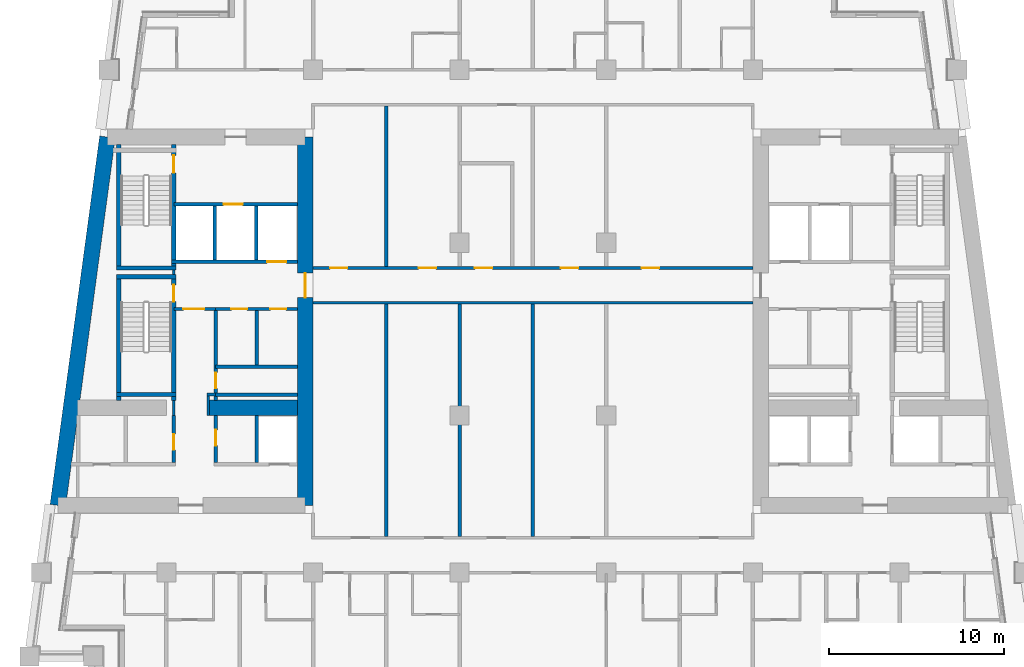
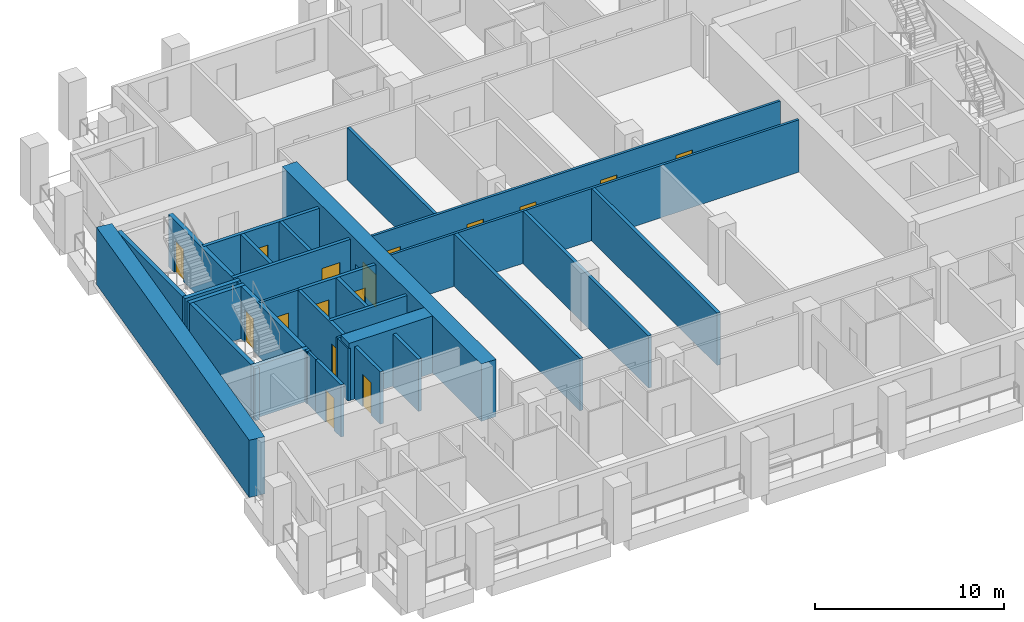
# One storey, part 4 of 13: 33 walls, 16 doors, 16 openings.
"""IFC4 building model written with IfcOpenShell, lengths in metres."""

from ifc_helpers import new_model, si_unit, direction, frame, frame_2d, origin, place, context, subcontext, project, spatial, rectangle, extrude, material, layer, layer_set, type_object, element, fill, save


model = new_model("IFC4")

# Units and contexts
model_context = context("Model", 3, precision=1e-05, world=origin(), true_north=direction((0.0, 1.0)))
body_context = subcontext(model_context, "Body", "Model", "MODEL_VIEW")
ifc_project = project(units=[si_unit("LENGTHUNIT", "METRE"), si_unit("AREAUNIT", "SQUARE_METRE"), si_unit("VOLUMEUNIT", "CUBIC_METRE"), si_unit("PLANEANGLEUNIT", "RADIAN"), si_unit("MASSUNIT", "GRAM", prefix="KILO")], contexts=[model_context])

# Site, building, storey
site_placement = place(None, origin())
site = spatial("IfcSite", under=ifc_project, at=site_placement, CompositionType="ELEMENT")
building_placement = place(site_placement, origin())
building = spatial("IfcBuilding", under=site, at=building_placement, Name="Candeia Pilgrim Tower and Theatre", CompositionType="ELEMENT")
storey_placement = place(building_placement, frame((0.0, 0.0, 177.39990234375)))
storey = spatial("IfcBuildingStorey", under=building, at=storey_placement, Name="L42", CompositionType="ELEMENT", Elevation=177.39990234375)

# Wall, opening, door
ifc_material_1 = material(Name="Concrete C60/75", Category="concrete")
ifc_layer_1 = layer(ifc_material_1, 0.89990234375)
ifc_layer_set_1 = layer_set([ifc_layer_1], Name="Core wall 900 C60/75")
wall_type_1 = type_object("IfcWallType", Name="Core wall 900 C60/75", PredefinedType="SHEAR", material=ifc_layer_set_1)
wall_1_placement = place(storey_placement, frame((100.35009765625, 131.949951171875, 0.0), z_axis=(0.0, 0.0, 1.0), x_axis=(0.0, -1.0, 0.0)))
wall_1 = element("IfcWall", 1, at=wall_1_placement, inside=storey, type_object=wall_type_1, Name="Core wall W2", PredefinedType="SHEAR", context=body_context, shape_type="SweptSolid", body=[
    extrude(rectangle(XDim=21.099853515625, YDim=0.89990234375, at=frame_2d((10.5498046875, 0.0))), origin(), (0.0, 0.0, 1.0), 3.7001953125),
])
opening_1_placement = place(wall_1_placement, frame((7.800048828125, 0.0, 0.0)))
opening_1 = element("IfcOpeningElement", 2, at=opening_1_placement, cuts=wall_1, Name="Opening L42-D064", PredefinedType="OPENING", context=body_context, shape_type="SweptSolid", body=[
    extrude(rectangle(XDim=1.39990234375, YDim=2.10009765625, at=frame_2d((0.699951171875, 1.050048828125))), frame((0.0, 0.4599609375, 0.0), z_axis=(0.0, -1.0, 0.0), x_axis=(1.0, 0.0, 0.0)), (0.0, 0.0, 1.0), 0.919921875),
])
ifc_material_2 = material(Name="Steel fire door set", Category="steel")
door_type_1 = type_object("IfcDoorType", Name="D-1400-FD60", OperationType="NOTDEFINED", PredefinedType="DOOR", material=ifc_material_2)
door_1_placement = place(opening_1_placement, origin())
door_1 = element("IfcDoor", 3, at=door_1_placement, inside=storey, type_object=door_type_1, Name="Door L42-D064", OperationType="SINGLE_SWING_RIGHT", OverallHeight=2.10009765625, OverallWidth=1.39990234375, PredefinedType="DOOR", context=body_context, shape_type="SweptSolid", body=[
    extrude(rectangle(XDim=1.39990234375, YDim=2.10009765625, at=frame_2d((0.699951171875, 1.050048828125))), frame((0.0, 0.02490234375, 0.0), z_axis=(0.0, -1.0, 0.0), x_axis=(1.0, 0.0, 0.0)), (0.0, 0.0, 1.0), 0.050048828125),
])
fill(opening_1, door_1)

# Walls
wall_2_placement = place(storey_placement, frame((86.183837890625, 110.85009765625, 0.0), z_axis=(0.0, 0.0, 1.0), x_axis=(0.133410495943, 0.991060865725, 0.0)))
element("IfcWall", 4, at=wall_2_placement, inside=storey, type_object=wall_type_1, Name="Core wall W4", PredefinedType="SHEAR", context=body_context, shape_type="SweptSolid", body=[
    extrude(rectangle(XDim=21.290283203125, YDim=0.89990234375, at=frame_2d((10.64501953125, 0.0))), origin(), (0.0, 0.0, 1.0), 3.7001953125),
])
wall_3_placement = place(storey_placement, frame((94.800048828125, 116.449951171875, 0.0), z_axis=(0.0, 0.0, 1.0), x_axis=(1.0, 0.0, 0.0)))
element("IfcWall", 5, at=wall_3_placement, inside=storey, type_object=wall_type_1, Name="Core wall W6", PredefinedType="SHEAR", context=body_context, shape_type="SweptSolid", body=[
    extrude(rectangle(XDim=5.099853515625, YDim=0.89990234375, at=frame_2d((2.5498046875, 0.0))), origin(), (0.0, 0.0, 1.0), 3.7001953125),
])
ifc_material_3 = material(Name="Gypsum board partition on steel studs", Category="steel")
ifc_layer_2 = layer(ifc_material_3, 0.14990234375)
ifc_layer_set_2 = layer_set([ifc_layer_2], Name="PW-150 lobby wall")
wall_type_2 = type_object("IfcWallType", Name="PW-150 lobby wall", PredefinedType="PARTITIONING", material=ifc_layer_set_2)
wall_4_placement = place(storey_placement, frame((94.72509765625, 117.199951171875, 0.0), z_axis=(0.0, 0.0, 1.0), x_axis=(1.0, 0.0, 0.0)))
element("IfcWall", 6, at=wall_4_placement, inside=storey, type_object=wall_type_2, Name="Lobby wall L42-019", PredefinedType="PARTITIONING", context=body_context, shape_type="SweptSolid", body=[
    extrude(rectangle(XDim=0.501953125, YDim=0.14990234375, at=frame_2d((0.2509765625, 0.0))), origin(), (0.0, 0.0, 1.0), 3.380126953125),
])

# Wall, opening, door
wall_5_placement = place(storey_placement, frame((92.826904296875, 122.10009765625, 0.0), z_axis=(0.0, 0.0, 1.0), x_axis=(1.0, 0.0, 0.0)))
wall_5 = element("IfcWall", 7, at=wall_5_placement, inside=storey, type_object=wall_type_2, Name="Lobby wall L42-027", PredefinedType="PARTITIONING", context=body_context, shape_type="SweptSolid", body=[
    extrude(rectangle(XDim=2.400146484375, YDim=0.14990234375, at=frame_2d((1.2001953125, 0.0))), origin(), (0.0, 0.0, 1.0), 3.380126953125),
])
opening_2_placement = place(wall_5_placement, frame((0.550048828125, 0.0, 0.0)))
opening_2 = element("IfcOpeningElement", 8, at=opening_2_placement, cuts=wall_5, Name="Opening L42-D001", PredefinedType="OPENING", context=body_context, shape_type="SweptSolid", body=[
    extrude(rectangle(XDim=1.199951171875, YDim=2.10009765625, at=frame_2d((0.60009765625, 1.050048828125))), frame((0.0, 0.0849609375, 0.0), z_axis=(0.0, -1.0, 0.0), x_axis=(1.0, 0.0, 0.0)), (0.0, 0.0, 1.0), 0.169921875),
])
door_type_2 = type_object("IfcDoorType", Name="D-1200-FD60", OperationType="NOTDEFINED", PredefinedType="DOOR", material=ifc_material_2)
door_2_placement = place(opening_2_placement, origin())
door_2 = element("IfcDoor", 9, at=door_2_placement, inside=storey, type_object=door_type_2, Name="Door L42-D001", OperationType="SINGLE_SWING_LEFT", OverallHeight=2.10009765625, OverallWidth=1.199951171875, PredefinedType="DOOR", context=body_context, shape_type="SweptSolid", body=[
    extrude(rectangle(XDim=1.199951171875, YDim=2.10009765625, at=frame_2d((0.60009765625, 1.050048828125))), frame((0.0, 0.02490234375, 0.0), z_axis=(0.0, -1.0, 0.0), x_axis=(1.0, 0.0, 0.0)), (0.0, 0.0, 1.0), 0.050048828125),
])
fill(opening_2, door_2)

# Walls
wall_6_placement = place(storey_placement, frame((92.826904296875, 116.0, 0.0), z_axis=(0.0, 0.0, 1.0), x_axis=(0.0, 1.0, 0.0)))
element("IfcWall", 10, at=wall_6_placement, inside=storey, type_object=wall_type_2, Name="Lobby wall L42-059", PredefinedType="PARTITIONING", context=body_context, shape_type="SweptSolid", body=[
    extrude(rectangle(XDim=0.8701171875, YDim=0.14990234375, at=frame_2d((0.43505859375, 0.0))), origin(), (0.0, 0.0, 1.0), 3.380126953125),
])
wall_7_placement = place(storey_placement, frame((92.826904296875, 124.074951171875, 0.0), z_axis=(0.0, 0.0, 1.0), x_axis=(0.0, 1.0, 0.0)))
element("IfcWall", 11, at=wall_7_placement, inside=storey, type_object=wall_type_2, Name="Lobby wall L42-060", PredefinedType="PARTITIONING", context=body_context, shape_type="SweptSolid", body=[
    extrude(rectangle(XDim=0.25, YDim=0.14990234375, at=frame_2d((0.125, 0.0))), origin(), (0.0, 0.0, 1.0), 3.380126953125),
])
wall_8_placement = place(storey_placement, frame((94.800048828125, 116.0, 0.0), z_axis=(0.0, 0.0, 1.0), x_axis=(0.0, 1.0, 0.0)))
element("IfcWall", 12, at=wall_8_placement, inside=storey, type_object=wall_type_2, Name="Lobby wall L42-064", PredefinedType="PARTITIONING", context=body_context, shape_type="SweptSolid", body=[
    extrude(rectangle(XDim=1.125, YDim=0.14990234375, at=frame_2d((0.5625, 0.0))), origin(), (0.0, 0.0, 1.0), 3.380126953125),
])
ifc_layer_3 = layer(ifc_material_3, 0.14990234375)
ifc_layer_set_3 = layer_set([ifc_layer_3], Name="PW-150 unit wall")
wall_type_3 = type_object("IfcWallType", Name="PW-150 unit wall", PredefinedType="PARTITIONING", material=ifc_layer_set_3)
wall_9_placement = place(storey_placement, frame((100.800048828125, 122.449951171875, 0.0), z_axis=(0.0, 0.0, 1.0), x_axis=(1.0, 0.0, 0.0)))
element("IfcWall", 13, at=wall_9_placement, inside=storey, type_object=wall_type_3, Name="Unit wall L42-029", PredefinedType="PARTITIONING", context=body_context, shape_type="SweptSolid", body=[
    extrude(rectangle(XDim=25.199951171875, YDim=0.14990234375, at=frame_2d((12.60009765625, 0.0))), origin(), (0.0, 0.0, 1.0), 3.380126953125),
])

# Wall, openings, doors
wall_10_placement = place(storey_placement, frame((100.800048828125, 124.449951171875, 0.0), z_axis=(0.0, 0.0, 1.0), x_axis=(1.0, 0.0, 0.0)))
wall_10 = element("IfcWall", 14, at=wall_10_placement, inside=storey, type_object=wall_type_3, Name="Unit wall L42-034", PredefinedType="PARTITIONING", context=body_context, shape_type="SweptSolid", body=[
    extrude(rectangle(XDim=25.199951171875, YDim=0.14990234375, at=frame_2d((12.60009765625, 0.0))), origin(), (0.0, 0.0, 1.0), 3.380126953125),
])
opening_3_placement = place(wall_10_placement, frame((0.97509765625, 0.0, 0.0)))
opening_3 = element("IfcOpeningElement", 15, at=opening_3_placement, cuts=wall_10, Name="Opening L42-D057", PredefinedType="OPENING", context=body_context, shape_type="SweptSolid", body=[
    extrude(rectangle(XDim=1.0, YDim=2.10009765625, at=frame_2d((0.5, 1.050048828125))), frame((0.0, 0.0849609375, 0.0), z_axis=(0.0, -1.0, 0.0), x_axis=(1.0, 0.0, 0.0)), (0.0, 0.0, 1.0), 0.169921875),
])
opening_4_placement = place(wall_10_placement, frame((6.050048828125, 0.0, 0.0)))
opening_4 = element("IfcOpeningElement", 16, at=opening_4_placement, cuts=wall_10, Name="Opening L42-D058", PredefinedType="OPENING", context=body_context, shape_type="SweptSolid", body=[
    extrude(rectangle(XDim=1.0, YDim=2.10009765625, at=frame_2d((0.5, 1.050048828125))), frame((0.0, 0.0849609375, 0.0), z_axis=(0.0, -1.0, 0.0), x_axis=(1.0, 0.0, 0.0)), (0.0, 0.0, 1.0), 0.169921875),
])
opening_5_placement = place(wall_10_placement, frame((9.27001953125, 0.0, 0.0)))
opening_5 = element("IfcOpeningElement", 17, at=opening_5_placement, cuts=wall_10, Name="Opening L42-D059", PredefinedType="OPENING", context=body_context, shape_type="SweptSolid", body=[
    extrude(rectangle(XDim=1.0, YDim=2.10009765625, at=frame_2d((0.5, 1.050048828125))), frame((0.0, 0.0849609375, 0.0), z_axis=(0.0, -1.0, 0.0), x_axis=(1.0, 0.0, 0.0)), (0.0, 0.0, 1.0), 0.169921875),
])
opening_6_placement = place(wall_10_placement, frame((14.199951171875, 0.0, 0.0)))
opening_6 = element("IfcOpeningElement", 18, at=opening_6_placement, cuts=wall_10, Name="Opening L42-D060", PredefinedType="OPENING", context=body_context, shape_type="SweptSolid", body=[
    extrude(rectangle(XDim=1.0, YDim=2.10009765625, at=frame_2d((0.5, 1.050048828125))), frame((0.0, 0.0849609375, 0.0), z_axis=(0.0, -1.0, 0.0), x_axis=(1.0, 0.0, 0.0)), (0.0, 0.0, 1.0), 0.169921875),
])
opening_7_placement = place(wall_10_placement, frame((18.824951171875, 0.0, 0.0)))
opening_7 = element("IfcOpeningElement", 19, at=opening_7_placement, cuts=wall_10, Name="Opening L42-D061", PredefinedType="OPENING", context=body_context, shape_type="SweptSolid", body=[
    extrude(rectangle(XDim=1.0, YDim=2.10009765625, at=frame_2d((0.5, 1.050048828125))), frame((0.0, 0.0849609375, 0.0), z_axis=(0.0, -1.0, 0.0), x_axis=(1.0, 0.0, 0.0)), (0.0, 0.0, 1.0), 0.169921875),
])
door_type_3 = type_object("IfcDoorType", Name="D-1000-FD30S", OperationType="NOTDEFINED", PredefinedType="DOOR", material=ifc_material_2)
door_3_placement = place(opening_3_placement, origin())
door_3 = element("IfcDoor", 20, at=door_3_placement, inside=storey, type_object=door_type_3, Name="Door L42-D057", OperationType="SINGLE_SWING_LEFT", OverallHeight=2.10009765625, OverallWidth=1.0, PredefinedType="DOOR", context=body_context, shape_type="SweptSolid", body=[
    extrude(rectangle(XDim=1.0, YDim=2.10009765625, at=frame_2d((0.5, 1.050048828125))), frame((0.0, 0.02490234375, 0.0), z_axis=(0.0, -1.0, 0.0), x_axis=(1.0, 0.0, 0.0)), (0.0, 0.0, 1.0), 0.050048828125),
])
fill(opening_3, door_3)
door_4_placement = place(opening_4_placement, origin())
door_4 = element("IfcDoor", 21, at=door_4_placement, inside=storey, type_object=door_type_3, Name="Door L42-D058", OperationType="SINGLE_SWING_RIGHT", OverallHeight=2.10009765625, OverallWidth=1.0, PredefinedType="DOOR", context=body_context, shape_type="SweptSolid", body=[
    extrude(rectangle(XDim=1.0, YDim=2.10009765625, at=frame_2d((0.5, 1.050048828125))), frame((0.0, 0.02490234375, 0.0), z_axis=(0.0, -1.0, 0.0), x_axis=(1.0, 0.0, 0.0)), (0.0, 0.0, 1.0), 0.050048828125),
])
fill(opening_4, door_4)
door_5_placement = place(opening_5_placement, origin())
door_5 = element("IfcDoor", 22, at=door_5_placement, inside=storey, type_object=door_type_3, Name="Door L42-D059", OperationType="SINGLE_SWING_LEFT", OverallHeight=2.10009765625, OverallWidth=1.0, PredefinedType="DOOR", context=body_context, shape_type="SweptSolid", body=[
    extrude(rectangle(XDim=1.0, YDim=2.10009765625, at=frame_2d((0.5, 1.050048828125))), frame((0.0, 0.02490234375, 0.0), z_axis=(0.0, -1.0, 0.0), x_axis=(1.0, 0.0, 0.0)), (0.0, 0.0, 1.0), 0.050048828125),
])
fill(opening_5, door_5)
door_6_placement = place(opening_6_placement, origin())
door_6 = element("IfcDoor", 23, at=door_6_placement, inside=storey, type_object=door_type_3, Name="Door L42-D060", OperationType="SINGLE_SWING_RIGHT", OverallHeight=2.10009765625, OverallWidth=1.0, PredefinedType="DOOR", context=body_context, shape_type="SweptSolid", body=[
    extrude(rectangle(XDim=1.0, YDim=2.10009765625, at=frame_2d((0.5, 1.050048828125))), frame((0.0, 0.02490234375, 0.0), z_axis=(0.0, -1.0, 0.0), x_axis=(1.0, 0.0, 0.0)), (0.0, 0.0, 1.0), 0.050048828125),
])
fill(opening_6, door_6)
door_7_placement = place(opening_7_placement, origin())
door_7 = element("IfcDoor", 24, at=door_7_placement, inside=storey, type_object=door_type_3, Name="Door L42-D061", OperationType="SINGLE_SWING_LEFT", OverallHeight=2.10009765625, OverallWidth=1.0, PredefinedType="DOOR", context=body_context, shape_type="SweptSolid", body=[
    extrude(rectangle(XDim=1.0, YDim=2.10009765625, at=frame_2d((0.5, 1.050048828125))), frame((0.0, 0.02490234375, 0.0), z_axis=(0.0, -1.0, 0.0), x_axis=(1.0, 0.0, 0.0)), (0.0, 0.0, 1.0), 0.050048828125),
])
fill(opening_7, door_7)

# Walls
ifc_layer_4 = layer(ifc_material_3, 0.199951171875)
ifc_layer_set_4 = layer_set([ifc_layer_4], Name="PW-200 party wall")
wall_type_4 = type_object("IfcWallType", Name="PW-200 party wall", PredefinedType="PARTITIONING", material=ifc_layer_set_4)
wall_11_placement = place(storey_placement, frame((105.0, 109.074951171875, 0.0), z_axis=(0.0, 0.0, 1.0), x_axis=(0.0, 1.0, 0.0)))
element("IfcWall", 25, at=wall_11_placement, inside=storey, type_object=wall_type_4, Name="Party wall L42-081", PredefinedType="PARTITIONING", context=body_context, shape_type="SweptSolid", body=[
    extrude(rectangle(XDim=13.300048828125, YDim=0.199951171875, at=frame_2d((6.64990234375, 0.0))), origin(), (0.0, 0.0, 1.0), 3.380126953125),
])
wall_12_placement = place(storey_placement, frame((105.0, 124.52490234375, 0.0), z_axis=(0.0, 0.0, 1.0), x_axis=(0.0, 1.0, 0.0)))
element("IfcWall", 26, at=wall_12_placement, inside=storey, type_object=wall_type_4, Name="Party wall L42-082", PredefinedType="PARTITIONING", context=body_context, shape_type="SweptSolid", body=[
    extrude(rectangle(XDim=9.2001953125, YDim=0.199951171875, at=frame_2d((4.60009765625, 0.0))), origin(), (0.0, 0.0, 1.0), 3.380126953125),
])
for number, where, z_axis, x_axis, name in (
    (27, (109.199951171875, 109.074951171875, 0.0), (0.0, 0.0, 1.0), (0.0, 1.0, 0.0), "Party wall L42-086"),
    (28, (113.39990234375, 109.074951171875, 0.0), (0.0, 0.0, 1.0), (0.0, 1.0, 0.0), "Party wall L42-090"),
):
    element("IfcWall", number, at=place(storey_placement, frame(where, z_axis=z_axis, x_axis=x_axis)), inside=storey, type_object=wall_type_4, Name=name, PredefinedType="PARTITIONING", context=body_context, shape_type="SweptSolid", body=[
        extrude(rectangle(XDim=13.300048828125, YDim=0.199951171875, at=frame_2d((6.64990234375, 0.0))), origin(), (0.0, 0.0, 1.0), 3.380126953125),
    ])
ifc_material_4 = material(Name="Concrete C40/50", Category="concrete")
ifc_layer_5 = layer(ifc_material_4, 0.199951171875)
ifc_layer_set_5 = layer_set([ifc_layer_5], Name="SW-200 shaft wall")
wall_type_5 = type_object("IfcWallType", Name="SW-200 shaft wall", PredefinedType="PARTITIONING", material=ifc_layer_set_5)
for number, where, z_axis, x_axis, name in (
    (29, (95.22705078125, 117.199951171875, 0.0), (0.0, 0.0, 1.0), (1.0, 0.0, 0.0), "Shaft wall L42-017"),
    (30, (95.22705078125, 118.800048828125, 0.0), (0.0, 0.0, 1.0), (1.0, 0.0, 0.0), "Shaft wall L42-023"),
):
    element("IfcWall", number, at=place(storey_placement, frame(where, z_axis=z_axis, x_axis=x_axis)), inside=storey, type_object=wall_type_5, Name=name, PredefinedType="PARTITIONING", context=body_context, shape_type="SweptSolid", body=[
        extrude(rectangle(XDim=4.6728515625, YDim=0.199951171875, at=frame_2d((2.33642578125, 0.0))), origin(), (0.0, 0.0, 1.0), 3.380126953125),
    ])

# Wall, openings, doors
wall_13_placement = place(storey_placement, frame((95.22705078125, 122.10009765625, 0.0), z_axis=(0.0, 0.0, 1.0), x_axis=(1.0, 0.0, 0.0)))
wall_13 = element("IfcWall", 31, at=wall_13_placement, inside=storey, type_object=wall_type_5, Name="Shaft wall L42-025", PredefinedType="PARTITIONING", context=body_context, shape_type="SweptSolid", body=[
    extrude(rectangle(XDim=4.6728515625, YDim=0.199951171875, at=frame_2d((2.33642578125, 0.0))), origin(), (0.0, 0.0, 1.0), 3.380126953125),
])
opening_8_placement = place(wall_13_placement, frame((0.902099609375, 0.0, 0.0)))
opening_8 = element("IfcOpeningElement", 32, at=opening_8_placement, cuts=wall_13, Name="Opening L42-D002", PredefinedType="OPENING", context=body_context, shape_type="SweptSolid", body=[
    extrude(rectangle(XDim=0.89990234375, YDim=2.10009765625, at=frame_2d((0.449951171875, 1.050048828125))), frame((0.0, 0.10986328125, 0.0), z_axis=(0.0, -1.0, 0.0), x_axis=(1.0, 0.0, 0.0)), (0.0, 0.0, 1.0), 0.219970703125),
])
opening_9_placement = place(wall_13_placement, frame((3.1279296875, 0.0, 0.0)))
opening_9 = element("IfcOpeningElement", 33, at=opening_9_placement, cuts=wall_13, Name="Opening L42-D003", PredefinedType="OPENING", context=body_context, shape_type="SweptSolid", body=[
    extrude(rectangle(XDim=0.89990234375, YDim=2.10009765625, at=frame_2d((0.449951171875, 1.050048828125))), frame((0.0, 0.10986328125, 0.0), z_axis=(0.0, -1.0, 0.0), x_axis=(1.0, 0.0, 0.0)), (0.0, 0.0, 1.0), 0.219970703125),
])
door_type_4 = type_object("IfcDoorType", Name="D-900-FD60", OperationType="NOTDEFINED", PredefinedType="DOOR", material=ifc_material_2)
door_8_placement = place(opening_8_placement, origin())
door_8 = element("IfcDoor", 34, at=door_8_placement, inside=storey, type_object=door_type_4, Name="Door L42-D002", OperationType="SINGLE_SWING_RIGHT", OverallHeight=2.10009765625, OverallWidth=0.89990234375, PredefinedType="DOOR", context=body_context, shape_type="SweptSolid", body=[
    extrude(rectangle(XDim=0.89990234375, YDim=2.10009765625, at=frame_2d((0.449951171875, 1.050048828125))), frame((0.0, 0.02490234375, 0.0), z_axis=(0.0, -1.0, 0.0), x_axis=(1.0, 0.0, 0.0)), (0.0, 0.0, 1.0), 0.050048828125),
])
fill(opening_8, door_8)
door_9_placement = place(opening_9_placement, origin())
door_9 = element("IfcDoor", 35, at=door_9_placement, inside=storey, type_object=door_type_4, Name="Door L42-D003", OperationType="SINGLE_SWING_LEFT", OverallHeight=2.10009765625, OverallWidth=0.89990234375, PredefinedType="DOOR", context=body_context, shape_type="SweptSolid", body=[
    extrude(rectangle(XDim=0.89990234375, YDim=2.10009765625, at=frame_2d((0.449951171875, 1.050048828125))), frame((0.0, 0.02490234375, 0.0), z_axis=(0.0, -1.0, 0.0), x_axis=(1.0, 0.0, 0.0)), (0.0, 0.0, 1.0), 0.050048828125),
])
fill(opening_9, door_9)

# Wall, opening, door
wall_14_placement = place(storey_placement, frame((92.701904296875, 124.800048828125, 0.0), z_axis=(0.0, 0.0, 1.0), x_axis=(1.0, 0.0, 0.0)))
wall_14 = element("IfcWall", 36, at=wall_14_placement, inside=storey, type_object=wall_type_5, Name="Shaft wall L42-035", PredefinedType="PARTITIONING", context=body_context, shape_type="SweptSolid", body=[
    extrude(rectangle(XDim=7.197998046875, YDim=0.199951171875, at=frame_2d((3.59912109375, 0.0))), origin(), (0.0, 0.0, 1.0), 3.380126953125),
])
opening_10_placement = place(wall_14_placement, frame((5.468994140625, 0.0, 0.0)))
opening_10 = element("IfcOpeningElement", 37, at=opening_10_placement, cuts=wall_14, Name="Opening L42-LD02", PredefinedType="OPENING", context=body_context, shape_type="SweptSolid", body=[
    extrude(rectangle(XDim=1.10009765625, YDim=2.10009765625, at=frame_2d((0.550048828125, 1.050048828125))), frame((0.0, 0.10986328125, 0.0), z_axis=(0.0, -1.0, 0.0), x_axis=(1.0, 0.0, 0.0)), (0.0, 0.0, 1.0), 0.219970703125),
])
ifc_material_5 = material(Name="Glazed aluminium landing door", Category="aluminium")
door_type_5 = type_object("IfcDoorType", Name="LD-1100-EI120", OperationType="SLIDING_TO_LEFT", PredefinedType="DOOR", material=ifc_material_5)
door_10_placement = place(opening_10_placement, origin())
door_10 = element("IfcDoor", 38, at=door_10_placement, inside=storey, type_object=door_type_5, Name="Landing door 02 L42", OperationType="SLIDING_TO_LEFT", OverallHeight=2.10009765625, OverallWidth=1.10009765625, PredefinedType="DOOR", context=body_context, shape_type="SweptSolid", body=[
    extrude(rectangle(XDim=1.10009765625, YDim=2.10009765625, at=frame_2d((0.550048828125, 1.050048828125))), frame((0.0, 0.02490234375, 0.0), z_axis=(0.0, -1.0, 0.0), x_axis=(1.0, 0.0, 0.0)), (0.0, 0.0, 1.0), 0.050048828125),
])
fill(opening_10, door_10)

wall_15_placement = place(storey_placement, frame((92.826904296875, 128.10009765625, 0.0), z_axis=(0.0, 0.0, 1.0), x_axis=(1.0, 0.0, 0.0)))
wall_15 = element("IfcWall", 39, at=wall_15_placement, inside=storey, type_object=wall_type_5, Name="Shaft wall L42-038", PredefinedType="PARTITIONING", context=body_context, shape_type="SweptSolid", body=[
    extrude(rectangle(XDim=7.072998046875, YDim=0.199951171875, at=frame_2d((3.53662109375, 0.0))), origin(), (0.0, 0.0, 1.0), 3.380126953125),
])
opening_11_placement = place(wall_15_placement, frame((2.846923828125, 0.0, 0.0)))
opening_11 = element("IfcOpeningElement", 40, at=opening_11_placement, cuts=wall_15, Name="Opening L42-LD01", PredefinedType="OPENING", context=body_context, shape_type="SweptSolid", body=[
    extrude(rectangle(XDim=1.10009765625, YDim=2.10009765625, at=frame_2d((0.550048828125, 1.050048828125))), frame((0.0, 0.10986328125, 0.0), z_axis=(0.0, -1.0, 0.0), x_axis=(1.0, 0.0, 0.0)), (0.0, 0.0, 1.0), 0.219970703125),
])
door_11_placement = place(opening_11_placement, origin())
door_11 = element("IfcDoor", 41, at=door_11_placement, inside=storey, type_object=door_type_5, Name="Landing door 01 L42", OperationType="SLIDING_TO_LEFT", OverallHeight=2.10009765625, OverallWidth=1.10009765625, PredefinedType="DOOR", context=body_context, shape_type="SweptSolid", body=[
    extrude(rectangle(XDim=1.10009765625, YDim=2.10009765625, at=frame_2d((0.550048828125, 1.050048828125))), frame((0.0, 0.02490234375, 0.0), z_axis=(0.0, -1.0, 0.0), x_axis=(1.0, 0.0, 0.0)), (0.0, 0.0, 1.0), 0.050048828125),
])
fill(opening_11, door_11)

wall_16_placement = place(storey_placement, frame((92.826904296875, 113.300048828125, 0.0), z_axis=(0.0, 0.0, 1.0), x_axis=(0.0, 1.0, 0.0)))
wall_16 = element("IfcWall", 42, at=wall_16_placement, inside=storey, type_object=wall_type_5, Name="Shaft wall L42-058", PredefinedType="PARTITIONING", context=body_context, shape_type="SweptSolid", body=[
    extrude(rectangle(XDim=2.699951171875, YDim=0.199951171875, at=frame_2d((1.35009765625, 0.0))), origin(), (0.0, 0.0, 1.0), 3.380126953125),
])
opening_12_placement = place(wall_16_placement, frame((0.72998046875, 0.0, 0.0)))
opening_12 = element("IfcOpeningElement", 43, at=opening_12_placement, cuts=wall_16, Name="Opening L42-D008", PredefinedType="OPENING", context=body_context, shape_type="SweptSolid", body=[
    extrude(rectangle(XDim=0.89990234375, YDim=2.10009765625, at=frame_2d((0.449951171875, 1.050048828125))), frame((0.0, 0.10986328125, 0.0), z_axis=(0.0, -1.0, 0.0), x_axis=(1.0, 0.0, 0.0)), (0.0, 0.0, 1.0), 0.219970703125),
])
door_12_placement = place(opening_12_placement, origin())
door_12 = element("IfcDoor", 44, at=door_12_placement, inside=storey, type_object=door_type_4, Name="Door L42-D008", OperationType="SINGLE_SWING_LEFT", OverallHeight=2.10009765625, OverallWidth=0.89990234375, PredefinedType="DOOR", context=body_context, shape_type="SweptSolid", body=[
    extrude(rectangle(XDim=0.89990234375, YDim=2.10009765625, at=frame_2d((0.449951171875, 1.050048828125))), frame((0.0, 0.02490234375, 0.0), z_axis=(0.0, -1.0, 0.0), x_axis=(1.0, 0.0, 0.0)), (0.0, 0.0, 1.0), 0.050048828125),
])
fill(opening_12, door_12)

# Wall
wall_17_placement = place(storey_placement, frame((95.184814453125, 124.89990234375, 0.0), z_axis=(0.0, 0.0, 1.0), x_axis=(0.0, 1.0, 0.0)))
element("IfcWall", 45, at=wall_17_placement, inside=storey, type_object=wall_type_5, Name="Shaft wall L42-066", PredefinedType="PARTITIONING", context=body_context, shape_type="SweptSolid", body=[
    extrude(rectangle(XDim=3.10009765625, YDim=0.199951171875, at=frame_2d((1.550048828125, 0.0))), origin(), (0.0, 0.0, 1.0), 3.380126953125),
])

# Wall, opening, door
wall_18_placement = place(storey_placement, frame((95.22705078125, 113.300048828125, 0.0), z_axis=(0.0, 0.0, 1.0), x_axis=(0.0, 1.0, 0.0)))
wall_18 = element("IfcWall", 46, at=wall_18_placement, inside=storey, type_object=wall_type_5, Name="Shaft wall L42-067", PredefinedType="PARTITIONING", context=body_context, shape_type="SweptSolid", body=[
    extrude(rectangle(XDim=2.699951171875, YDim=0.199951171875, at=frame_2d((1.35009765625, 0.0))), origin(), (0.0, 0.0, 1.0), 3.380126953125),
])
opening_13_placement = place(wall_18_placement, frame((0.969970703125, 0.0, 0.0)))
opening_13 = element("IfcOpeningElement", 47, at=opening_13_placement, cuts=wall_18, Name="Opening L42-D009", PredefinedType="OPENING", context=body_context, shape_type="SweptSolid", body=[
    extrude(rectangle(XDim=0.89990234375, YDim=2.10009765625, at=frame_2d((0.449951171875, 1.050048828125))), frame((0.0, 0.10986328125, 0.0), z_axis=(0.0, -1.0, 0.0), x_axis=(1.0, 0.0, 0.0)), (0.0, 0.0, 1.0), 0.219970703125),
])
door_13_placement = place(opening_13_placement, origin())
door_13 = element("IfcDoor", 48, at=door_13_placement, inside=storey, type_object=door_type_4, Name="Door L42-D009", OperationType="SINGLE_SWING_RIGHT", OverallHeight=2.10009765625, OverallWidth=0.89990234375, PredefinedType="DOOR", context=body_context, shape_type="SweptSolid", body=[
    extrude(rectangle(XDim=0.89990234375, YDim=2.10009765625, at=frame_2d((0.449951171875, 1.050048828125))), frame((0.0, 0.02490234375, 0.0), z_axis=(0.0, -1.0, 0.0), x_axis=(1.0, 0.0, 0.0)), (0.0, 0.0, 1.0), 0.050048828125),
])
fill(opening_13, door_13)

wall_19_placement = place(storey_placement, frame((95.22705078125, 116.8701171875, 0.0), z_axis=(0.0, 0.0, 1.0), x_axis=(0.0, 1.0, 0.0)))
wall_19 = element("IfcWall", 49, at=wall_19_placement, inside=storey, type_object=wall_type_5, Name="Shaft wall L42-068", PredefinedType="PARTITIONING", context=body_context, shape_type="SweptSolid", body=[
    extrude(rectangle(XDim=5.1298828125, YDim=0.199951171875, at=frame_2d((2.56494140625, 0.0))), origin(), (0.0, 0.0, 1.0), 3.380126953125),
])
opening_14_placement = place(wall_19_placement, frame((0.679931640625, 0.0, 0.0)))
opening_14 = element("IfcOpeningElement", 50, at=opening_14_placement, cuts=wall_19, Name="Opening L42-D006", PredefinedType="OPENING", context=body_context, shape_type="SweptSolid", body=[
    extrude(rectangle(XDim=0.89990234375, YDim=2.10009765625, at=frame_2d((0.449951171875, 1.050048828125))), frame((0.0, 0.10986328125, 0.0), z_axis=(0.0, -1.0, 0.0), x_axis=(1.0, 0.0, 0.0)), (0.0, 0.0, 1.0), 0.219970703125),
])
door_14_placement = place(opening_14_placement, origin())
door_14 = element("IfcDoor", 51, at=door_14_placement, inside=storey, type_object=door_type_4, Name="Door L42-D006", OperationType="SINGLE_SWING_RIGHT", OverallHeight=2.10009765625, OverallWidth=0.89990234375, PredefinedType="DOOR", context=body_context, shape_type="SweptSolid", body=[
    extrude(rectangle(XDim=0.89990234375, YDim=2.10009765625, at=frame_2d((0.449951171875, 1.050048828125))), frame((0.0, 0.02490234375, 0.0), z_axis=(0.0, -1.0, 0.0), x_axis=(1.0, 0.0, 0.0)), (0.0, 0.0, 1.0), 0.050048828125),
])
fill(opening_14, door_14)

# Walls
wall_20_placement = place(storey_placement, frame((97.542236328125, 124.89990234375, 0.0), z_axis=(0.0, 0.0, 1.0), x_axis=(0.0, 1.0, 0.0)))
element("IfcWall", 52, at=wall_20_placement, inside=storey, type_object=wall_type_5, Name="Shaft wall L42-071", PredefinedType="PARTITIONING", context=body_context, shape_type="SweptSolid", body=[
    extrude(rectangle(XDim=3.10009765625, YDim=0.199951171875, at=frame_2d((1.550048828125, 0.0))), origin(), (0.0, 0.0, 1.0), 3.380126953125),
])
wall_21_placement = place(storey_placement, frame((97.5634765625, 113.300048828125, 0.0), z_axis=(0.0, 0.0, 1.0), x_axis=(0.0, 1.0, 0.0)))
element("IfcWall", 53, at=wall_21_placement, inside=storey, type_object=wall_type_5, Name="Shaft wall L42-072", PredefinedType="PARTITIONING", context=body_context, shape_type="SweptSolid", body=[
    extrude(rectangle(XDim=2.699951171875, YDim=0.199951171875, at=frame_2d((1.35009765625, 0.0))), origin(), (0.0, 0.0, 1.0), 3.380126953125),
])
wall_22_placement = place(storey_placement, frame((97.5634765625, 118.89990234375, 0.0), z_axis=(0.0, 0.0, 1.0), x_axis=(0.0, 1.0, 0.0)))
element("IfcWall", 54, at=wall_22_placement, inside=storey, type_object=wall_type_5, Name="Shaft wall L42-073", PredefinedType="PARTITIONING", context=body_context, shape_type="SweptSolid", body=[
    extrude(rectangle(XDim=3.10009765625, YDim=0.199951171875, at=frame_2d((1.550048828125, 0.0))), origin(), (0.0, 0.0, 1.0), 3.380126953125),
])
ifc_layer_6 = layer(ifc_material_4, 0.25)
ifc_layer_set_6 = layer_set([ifc_layer_6], Name="SW-250 stair wall")
wall_type_6 = type_object("IfcWallType", Name="SW-250 stair wall", PredefinedType="PARTITIONING", material=ifc_layer_set_6)
for number, where, z_axis, x_axis, name in (
    (55, (89.552001953125, 117.199951171875, 0.0), (0.0, 0.0, 1.0), (1.0, 0.0, 0.0), "Stair wall L42-021"),
    (56, (89.552001953125, 123.949951171875, 0.0), (0.0, 0.0, 1.0), (1.0, 0.0, 0.0), "Stair wall L42-030"),
    (57, (89.552001953125, 124.449951171875, 0.0), (0.0, 0.0, 1.0), (1.0, 0.0, 0.0), "Stair wall L42-032"),
):
    element("IfcWall", number, at=place(storey_placement, frame(where, z_axis=z_axis, x_axis=x_axis)), inside=storey, type_object=wall_type_6, Name=name, PredefinedType="PARTITIONING", context=body_context, shape_type="SweptSolid", body=[
        extrude(rectangle(XDim=3.39990234375, YDim=0.25, at=frame_2d((1.699951171875, 0.0))), origin(), (0.0, 0.0, 1.0), 3.380126953125),
    ])
wall_23_placement = place(storey_placement, frame((89.677001953125, 116.8701171875, 0.0), z_axis=(0.0, 0.0, 1.0), x_axis=(0.0, 1.0, 0.0)))
element("IfcWall", 58, at=wall_23_placement, inside=storey, type_object=wall_type_6, Name="Stair wall L42-053", PredefinedType="PARTITIONING", context=body_context, shape_type="SweptSolid", body=[
    extrude(rectangle(XDim=6.954833984375, YDim=0.25, at=frame_2d((3.4775390625, 0.0))), origin(), (0.0, 0.0, 1.0), 3.380126953125),
])
wall_24_placement = place(storey_placement, frame((89.677001953125, 124.574951171875, 0.0), z_axis=(0.0, 0.0, 1.0), x_axis=(0.0, 1.0, 0.0)))
element("IfcWall", 59, at=wall_24_placement, inside=storey, type_object=wall_type_6, Name="Stair wall L42-054", PredefinedType="PARTITIONING", context=body_context, shape_type="SweptSolid", body=[
    extrude(rectangle(XDim=6.955078125, YDim=0.25, at=frame_2d((3.4775390625, 0.0))), origin(), (0.0, 0.0, 1.0), 3.380126953125),
])

# Wall, opening, door
wall_25_placement = place(storey_placement, frame((92.826904296875, 116.8701171875, 0.0), z_axis=(0.0, 0.0, 1.0), x_axis=(0.0, 1.0, 0.0)))
wall_25 = element("IfcWall", 60, at=wall_25_placement, inside=storey, type_object=wall_type_6, Name="Stair wall L42-061", PredefinedType="PARTITIONING", context=body_context, shape_type="SweptSolid", body=[
    extrude(rectangle(XDim=6.954833984375, YDim=0.25, at=frame_2d((3.4775390625, 0.0))), origin(), (0.0, 0.0, 1.0), 3.380126953125),
])
opening_15_placement = place(wall_25_placement, frame((5.655029296875, 0.0, 0.0)))
opening_15 = element("IfcOpeningElement", 61, at=opening_15_placement, cuts=wall_25, Name="Opening L42-D004", PredefinedType="OPENING", context=body_context, shape_type="SweptSolid", body=[
    extrude(rectangle(XDim=0.949951171875, YDim=2.10009765625, at=frame_2d((0.47509765625, 1.050048828125))), frame((0.0, 0.135009765625, 0.0), z_axis=(0.0, -1.0, 0.0), x_axis=(1.0, 0.0, 0.0)), (0.0, 0.0, 1.0), 0.27001953125),
])
door_type_6 = type_object("IfcDoorType", Name="D-950-FD60", OperationType="NOTDEFINED", PredefinedType="DOOR", material=ifc_material_2)
door_15_placement = place(opening_15_placement, origin())
door_15 = element("IfcDoor", 62, at=door_15_placement, inside=storey, type_object=door_type_6, Name="Door L42-D004", OperationType="SINGLE_SWING_RIGHT", OverallHeight=2.10009765625, OverallWidth=0.949951171875, PredefinedType="DOOR", context=body_context, shape_type="SweptSolid", body=[
    extrude(rectangle(XDim=0.949951171875, YDim=2.10009765625, at=frame_2d((0.47509765625, 1.050048828125))), frame((0.0, 0.02490234375, 0.0), z_axis=(0.0, -1.0, 0.0), x_axis=(1.0, 0.0, 0.0)), (0.0, 0.0, 1.0), 0.050048828125),
])
fill(opening_15, door_15)

wall_26_placement = place(storey_placement, frame((92.826904296875, 124.574951171875, 0.0), z_axis=(0.0, 0.0, 1.0), x_axis=(0.0, 1.0, 0.0)))
wall_26 = element("IfcWall", 63, at=wall_26_placement, inside=storey, type_object=wall_type_6, Name="Stair wall L42-062", PredefinedType="PARTITIONING", context=body_context, shape_type="SweptSolid", body=[
    extrude(rectangle(XDim=6.955078125, YDim=0.25, at=frame_2d((3.4775390625, 0.0))), origin(), (0.0, 0.0, 1.0), 3.380126953125),
])
opening_16_placement = place(wall_26_placement, frame((5.324951171875, 0.0, 0.0)))
opening_16 = element("IfcOpeningElement", 64, at=opening_16_placement, cuts=wall_26, Name="Opening L42-D005", PredefinedType="OPENING", context=body_context, shape_type="SweptSolid", body=[
    extrude(rectangle(XDim=1.0, YDim=2.10009765625, at=frame_2d((0.5, 1.050048828125))), frame((0.0, 0.135009765625, 0.0), z_axis=(0.0, -1.0, 0.0), x_axis=(1.0, 0.0, 0.0)), (0.0, 0.0, 1.0), 0.27001953125),
])
door_type_7 = type_object("IfcDoorType", Name="D-1000-FD60", OperationType="NOTDEFINED", PredefinedType="DOOR", material=ifc_material_2)
door_16_placement = place(opening_16_placement, origin())
door_16 = element("IfcDoor", 65, at=door_16_placement, inside=storey, type_object=door_type_7, Name="Door L42-D005", OperationType="SINGLE_SWING_LEFT", OverallHeight=2.10009765625, OverallWidth=1.0, PredefinedType="DOOR", context=body_context, shape_type="SweptSolid", body=[
    extrude(rectangle(XDim=1.0, YDim=2.10009765625, at=frame_2d((0.5, 1.050048828125))), frame((0.0, 0.02490234375, 0.0), z_axis=(0.0, -1.0, 0.0), x_axis=(1.0, 0.0, 0.0)), (0.0, 0.0, 1.0), 0.050048828125),
])
fill(opening_16, door_16)

save(model, "model.ifc")
